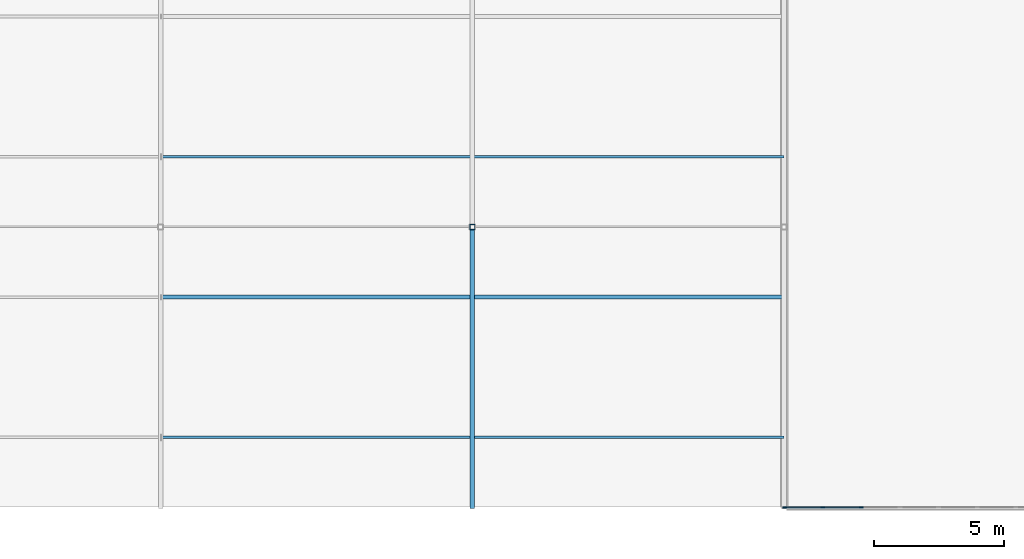
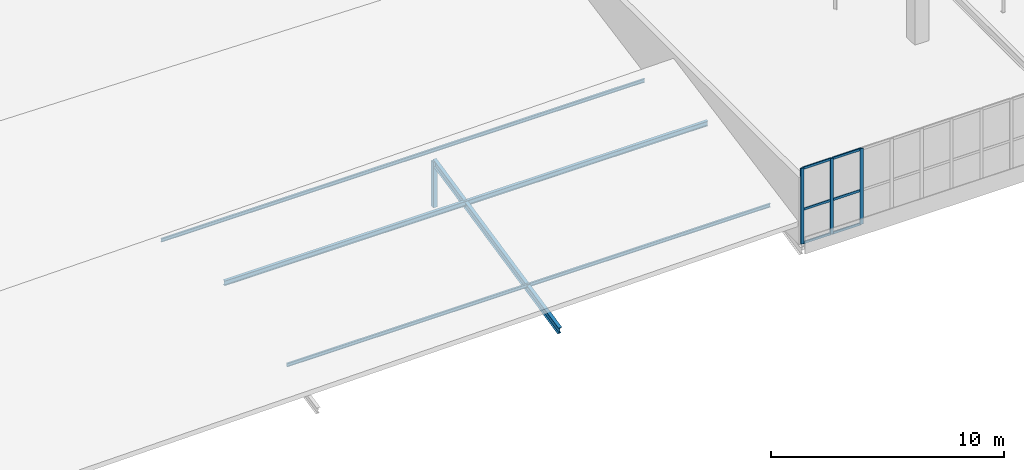
# One storey, part 66 of 226: 14 members, 1 element without a shape of its own.
"""IFC4 building model written with IfcOpenShell, lengths in metres."""

from ifc_helpers import new_model, si_unit, direction, frame, origin, origin_2d, place, context, subcontext, project, spatial, rectangle, hollow_rectangle, i_section, extrude, material, layer, layer_set, material_profile, profile_set, type_object, element, aggregate, save


model = new_model("IFC4")

# Units and contexts
model_context = context("Model", 3, precision=1e-05, world=origin(), true_north=direction((0.0, 1.0)))
body_context = subcontext(model_context, "Body", "Model", "MODEL_VIEW")
ifc_project = project(units=[si_unit("LENGTHUNIT", "METRE"), si_unit("AREAUNIT", "SQUARE_METRE"), si_unit("VOLUMEUNIT", "CUBIC_METRE"), si_unit("PLANEANGLEUNIT", "RADIAN"), si_unit("MASSUNIT", "GRAM", prefix="KILO")], contexts=[model_context])

# Site, building, storey
site_placement = place(None, origin())
site = spatial("IfcSite", under=ifc_project, at=site_placement, CompositionType="ELEMENT")
building_placement = place(site_placement, origin())
building = spatial("IfcBuilding", under=site, at=building_placement, Name="Tarnwether General Hospital", CompositionType="ELEMENT")
storey_placement = place(building_placement, frame((0.0, 0.0, 4.800048828125)))
storey = spatial("IfcBuildingStorey", under=building, at=storey_placement, Name="L01", CompositionType="ELEMENT", Elevation=4.800048828125)

# Curtain wall, members
ifc_material_1 = material(Name="Anodised aluminium", Category="aluminium")
ifc_layer = layer(ifc_material_1, 0.159912109375)
ifc_layer_set = layer_set([ifc_layer], Name="Anodised aluminium")
curtain_wall_type = type_object("IfcCurtainWallType", Name="CW-13", PredefinedType="NOTDEFINED", material=ifc_layer_set)
curtain_wall_placement = place(storey_placement, origin())
curtain_wall = element("IfcCurtainWall", 1, at=curtain_wall_placement, inside=storey, type_object=curtain_wall_type, Name="Curtain Wall CWG-L01-599_0-0335", PredefinedType="NOTDEFINED")
ifc_material_2 = material(Name="Anodised aluminium", Category="aluminium")
ifc_material_profile_1 = material_profile(ifc_material_2, rectangle(XDim=0.06005859375, YDim=0.159912109375, at=origin_2d()), Name="ALU-MUL-60x160")
ifc_profile_set_1 = profile_set([ifc_material_profile_1], Name="Anodised aluminium")
member_type_1 = type_object("IfcMemberType", Name="CW-ML1", PredefinedType="MULLION", material=ifc_profile_set_1)
member_1_placement = place(storey_placement, frame((50.9716796875, 0.0, 0.0), z_axis=(0.0, 0.0, 1.0), x_axis=(0.0, -1.0, 0.0)))
member_1 = element("IfcMember", 2, at=member_1_placement, type_object=member_type_1, Name="CW-13 mullion 7", PredefinedType="MULLION", context=body_context, shape_type="SweptSolid", body=[
    extrude(rectangle(XDim=0.06005859375, YDim=0.159912109375, at=origin_2d()), origin(), (0.0, 0.0, 1.0), 3.972900390625),
])
member_2_placement = place(storey_placement, frame((49.48583984375, 0.0, 0.0), z_axis=(0.0, 0.0, 1.0), x_axis=(0.0, -1.0, 0.0)))
member_2 = element("IfcMember", 3, at=member_2_placement, type_object=member_type_1, Name="CW-13 mullion 8", PredefinedType="MULLION", context=body_context, shape_type="SweptSolid", body=[
    extrude(rectangle(XDim=0.06005859375, YDim=0.159912109375, at=origin_2d()), origin(), (0.0, 0.0, 1.0), 3.972900390625),
])
member_3_placement = place(storey_placement, frame((48.030029296875, 0.0, 0.0), z_axis=(0.0, 0.0, 1.0), x_axis=(0.0, -1.0, 0.0)))
member_3 = element("IfcMember", 4, at=member_3_placement, type_object=member_type_1, Name="CW-13 mullion 9", PredefinedType="MULLION", context=body_context, shape_type="SweptSolid", body=[
    extrude(rectangle(XDim=0.06005859375, YDim=0.159912109375, at=origin_2d()), origin(), (0.0, 0.0, 1.0), 3.972900390625),
])
ifc_material_3 = material(Name="Anodised aluminium", Category="aluminium")
ifc_material_profile_2 = material_profile(ifc_material_3, rectangle(XDim=0.06005859375, YDim=0.1201171875, at=origin_2d()), Name="ALU-TRN-60x120")
ifc_profile_set_2 = profile_set([ifc_material_profile_2], Name="Anodised aluminium")
member_type_2 = type_object("IfcMemberType", Name="CW-TR1", PredefinedType="USERDEFINED", material=ifc_profile_set_2)
member_4_placement = place(storey_placement, frame((50.941650390625, 0.0, 0.030029296875), z_axis=(-1.0, 0.0, 0.0), x_axis=(0.0, -1.0, 0.0)))
member_4 = element("IfcMember", 5, at=member_4_placement, type_object=member_type_2, Name="CW-13 transom 7.1", ObjectType="TRANSOM", PredefinedType="USERDEFINED", context=body_context, shape_type="SweptSolid", body=[
    extrude(rectangle(XDim=0.06005859375, YDim=0.1201171875, at=origin_2d()), origin(), (0.0, 0.0, 1.0), 1.42578125),
])
member_5_placement = place(storey_placement, frame((50.941650390625, 0.0, 1.787841796875), z_axis=(-1.0, 0.0, 0.0), x_axis=(0.0, -1.0, 0.0)))
member_5 = element("IfcMember", 6, at=member_5_placement, type_object=member_type_2, Name="CW-13 transom 7.2", ObjectType="TRANSOM", PredefinedType="USERDEFINED", context=body_context, shape_type="SweptSolid", body=[
    extrude(rectangle(XDim=0.06005859375, YDim=0.1201171875, at=origin_2d()), origin(), (0.0, 0.0, 1.0), 1.42578125),
])
member_6_placement = place(storey_placement, frame((50.941650390625, 0.0, 3.94287109375), z_axis=(-1.0, 0.0, 0.0), x_axis=(0.0, -1.0, 0.0)))
member_6 = element("IfcMember", 7, at=member_6_placement, type_object=member_type_2, Name="CW-13 transom 7.3", ObjectType="TRANSOM", PredefinedType="USERDEFINED", context=body_context, shape_type="SweptSolid", body=[
    extrude(rectangle(XDim=0.06005859375, YDim=0.1201171875, at=origin_2d()), origin(), (0.0, 0.0, 1.0), 1.42578125),
])
member_7_placement = place(storey_placement, frame((49.455810546875, 0.0, 0.030029296875), z_axis=(-1.0, 0.0, 0.0), x_axis=(0.0, -1.0, 0.0)))
member_7 = element("IfcMember", 8, at=member_7_placement, type_object=member_type_2, Name="CW-13 transom 8.1", ObjectType="TRANSOM", PredefinedType="USERDEFINED", context=body_context, shape_type="SweptSolid", body=[
    extrude(rectangle(XDim=0.06005859375, YDim=0.1201171875, at=origin_2d()), origin(), (0.0, 0.0, 1.0), 1.395751953125),
])
member_8_placement = place(storey_placement, frame((49.455810546875, 0.0, 1.787841796875), z_axis=(-1.0, 0.0, 0.0), x_axis=(0.0, -1.0, 0.0)))
member_8 = element("IfcMember", 9, at=member_8_placement, type_object=member_type_2, Name="CW-13 transom 8.2", ObjectType="TRANSOM", PredefinedType="USERDEFINED", context=body_context, shape_type="SweptSolid", body=[
    extrude(rectangle(XDim=0.06005859375, YDim=0.1201171875, at=origin_2d()), origin(), (0.0, 0.0, 1.0), 1.395751953125),
])
member_9_placement = place(storey_placement, frame((49.455810546875, 0.0, 3.94287109375), z_axis=(-1.0, 0.0, 0.0), x_axis=(0.0, -1.0, 0.0)))
member_9 = element("IfcMember", 10, at=member_9_placement, type_object=member_type_2, Name="CW-13 transom 8.3", ObjectType="TRANSOM", PredefinedType="USERDEFINED", context=body_context, shape_type="SweptSolid", body=[
    extrude(rectangle(XDim=0.06005859375, YDim=0.1201171875, at=origin_2d()), origin(), (0.0, 0.0, 1.0), 1.395751953125),
])
aggregate(curtain_wall, [member_1, member_2, member_3, member_4, member_5, member_6, member_7, member_8, member_9])

# Members
ifc_material_4 = material(Name="Steel Grade C350L0 (350 MPa)", Category="steel")
ifc_material_profile_3 = material_profile(ifc_material_4, hollow_rectangle(XDim=0.199951171875, YDim=0.199951171875, WallThickness=0.010009765625, at=origin_2d()), Name="SHS200x200x10")
ifc_profile_set_3 = profile_set([ifc_material_profile_3], Name="Steel Grade C350L0 (350 MPa)")
member_type_3 = type_object("IfcMemberType", Name="MB-BR8", PredefinedType="BRACE", material=ifc_profile_set_3)
member_10_placement = place(storey_placement, frame((36.0, 10.800048828125, -0.380126953125), z_axis=(0.0, 0.0, 1.0), x_axis=(1.0, 0.0, 0.0)))
element("IfcMember", 11, at=member_10_placement, inside=storey, type_object=member_type_3, Name="Emergency Sawtooth Web Strut 030", PredefinedType="BRACE", context=body_context, shape_type="SweptSolid", body=[
    extrude(hollow_rectangle(XDim=0.199951171875, YDim=0.199951171875, WallThickness=0.010009765625, at=origin_2d()), origin(), (0.0, 0.0, 1.0), 2.380126953125),
])
ifc_material_5 = material(Name="Steel Grade 350 (350 MPa)", Category="steel")
ifc_material_profile_4 = material_profile(ifc_material_5, i_section(OverallWidth=0.14599609375, OverallDepth=0.256103515625, WebThickness=0.00634765625, FlangeThickness=0.010986328125, at=origin_2d()), Name="250UB37.3")
ifc_profile_set_4 = profile_set([ifc_material_profile_4], Name="Steel Grade 350 (350 MPa)")
member_type_4 = type_object("IfcMemberType", Name="MB-PR1", PredefinedType="PURLIN", material=ifc_profile_set_4)
member_11_placement = place(storey_placement, frame((24.0, 8.10009765625, 1.43994140625), z_axis=(1.0, 0.0, 0.0), x_axis=(0.0, 1.0, 0.0)))
element("IfcMember", 12, at=member_11_placement, inside=storey, type_object=member_type_4, Name="Emergency Sawtooth Purlin 035", PredefinedType="PURLIN", context=body_context, shape_type="SweptSolid", body=[
    extrude(i_section(OverallWidth=0.14599609375, OverallDepth=0.256103515625, WebThickness=0.00634765625, FlangeThickness=0.010986328125, at=origin_2d()), origin(), (0.0, 0.0, 1.0), 24.0),
])
ifc_material_6 = material(Name="Steel Grade 350 (350 MPa)", Category="steel")
ifc_material_profile_5 = material_profile(ifc_material_6, i_section(OverallWidth=0.090087890625, OverallDepth=0.178955078125, WebThickness=0.006103515625, FlangeThickness=0.010986328125, at=origin_2d()), Name="180UB22.2")
ifc_profile_set_5 = profile_set([ifc_material_profile_5], Name="Steel Grade 350 (350 MPa)")
member_type_5 = type_object("IfcMemberType", Name="MB-PR4", PredefinedType="PURLIN", material=ifc_profile_set_5)
for number, where, z_axis, x_axis, name in (
    (13, (24.0, 2.699951171875, 0.39990234375), (1.0, 0.0, 0.0), (0.0, 1.0, 0.0), "Emergency Sawtooth Purlin 033"),
    (14, (24.0, 13.5, 0.39990234375), (1.0, 0.0, 0.0), (0.0, 1.0, 0.0), "Emergency Sawtooth Purlin 042"),
):
    element("IfcMember", number, at=place(storey_placement, frame(where, z_axis=z_axis, x_axis=x_axis)), inside=storey, type_object=member_type_5, Name=name, PredefinedType="PURLIN", context=body_context, shape_type="SweptSolid", body=[
        extrude(i_section(OverallWidth=0.090087890625, OverallDepth=0.178955078125, WebThickness=0.006103515625, FlangeThickness=0.010986328125, at=origin_2d()), origin(), (0.0, 0.0, 1.0), 24.0),
    ])
ifc_material_7 = material(Name="Steel Grade 350 (350 MPa)", Category="steel")
ifc_material_profile_6 = material_profile(ifc_material_7, i_section(OverallWidth=0.1708984375, OverallDepth=0.35595703125, WebThickness=0.00732421875, FlangeThickness=0.011474609375, at=origin_2d()), Name="360UB50.7")
ifc_profile_set_6 = profile_set([ifc_material_profile_6], Name="Steel Grade 350 (350 MPa)")
member_type_6 = type_object("IfcMemberType", Name="MB-RF4", PredefinedType="RAFTER", material=ifc_profile_set_6)
member_12_placement = place(storey_placement, frame((36.0, 0.0, -0.360107421875), z_axis=(0.0, 0.977695229902, 0.210028658584), x_axis=(-1.0, 0.0, 0.0)))
element("IfcMember", 15, at=member_12_placement, inside=storey, type_object=member_type_6, Name="Emergency Sawtooth Rafter 030", PredefinedType="RAFTER", context=body_context, shape_type="SweptSolid", body=[
    extrude(i_section(OverallWidth=0.1708984375, OverallDepth=0.35595703125, WebThickness=0.00732421875, FlangeThickness=0.011474609375, at=origin_2d()), origin(), (0.0, 0.0, 1.0), 11.04638671875),
])

save(model, "model.ifc")
